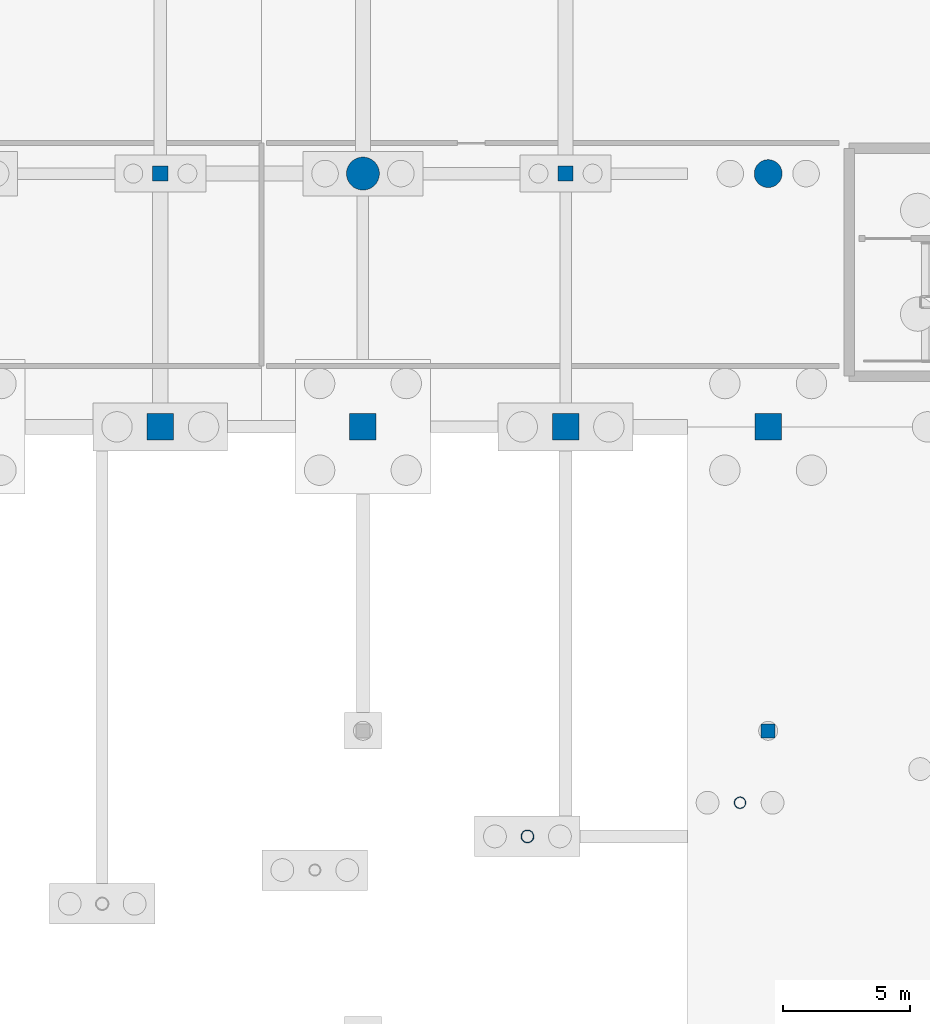
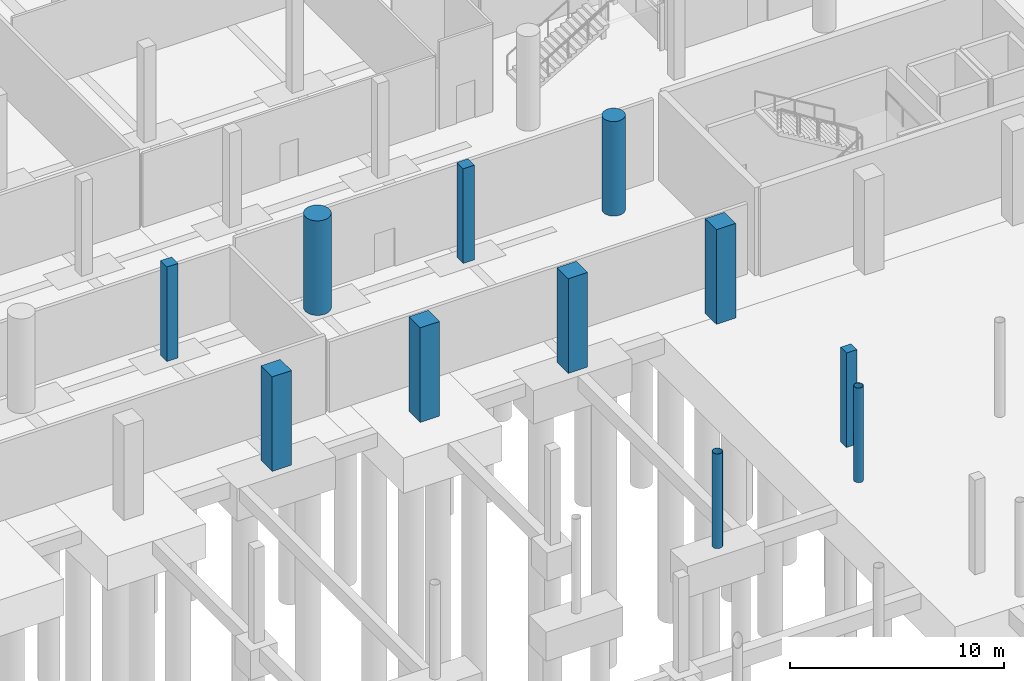
# One storey, part 24 of 65: 11 columns.
"""IFC4 building model written with IfcOpenShell, lengths in metres."""

from ifc_helpers import new_model, si_unit, direction, frame, origin, origin_2d, place, context, subcontext, project, spatial, rectangle, circle, hollow_circle, extrude, material, material_profile, profile_set, type_object, element, save


model = new_model("IFC4")

# Units and contexts
model_context = context("Model", 3, precision=1e-05, world=origin(), true_north=direction((0.0, 1.0)))
body_context = subcontext(model_context, "Body", "Model", "MODEL_VIEW")
ifc_project = project(units=[si_unit("LENGTHUNIT", "METRE"), si_unit("AREAUNIT", "SQUARE_METRE"), si_unit("VOLUMEUNIT", "CUBIC_METRE"), si_unit("PLANEANGLEUNIT", "RADIAN"), si_unit("MASSUNIT", "GRAM", prefix="KILO")], contexts=[model_context])

# Site, building, storey
site_placement = place(None, origin())
site = spatial("IfcSite", under=ifc_project, at=site_placement, CompositionType="ELEMENT")
building_placement = place(site_placement, origin())
building = spatial("IfcBuilding", under=site, at=building_placement, Name="Khorjan Park Terminus", CompositionType="ELEMENT")
storey_placement = place(building_placement, frame((0.0, 0.0, -5.4)))
storey = spatial("IfcBuildingStorey", under=building, at=storey_placement, Name="B1", CompositionType="ELEMENT", Elevation=-5.4)

# Columns
ifc_material_1 = material(Name="Concrete C50/60", Category="concrete")
ifc_material_profile_1 = material_profile(ifc_material_1, rectangle(XDim=1.05, YDim=1.05, at=origin_2d()), Name="RC 1050x1050")
ifc_profile_set_1 = profile_set([ifc_material_profile_1], Name="Concrete C50/60")
column_type_1 = type_object("IfcColumnType", Name="COL-RC1050", PredefinedType="COLUMN", material=ifc_profile_set_1)
for number, where, z_axis, x_axis, name in (
    (1, (88.0, 26.0, 0.0), (0.0, 0.0, 1.0), (1.0, 0.0, 0.0), "Structural column C-RC105 (B1 #345)"),
    (2, (96.0, 26.0, 0.0), (0.0, 0.0, 1.0), (1.0, 0.0, 0.0), "Structural column C-RC105 (B1 #361)"),
    (3, (104.0, 26.0, 0.0), (0.0, 0.0, 1.0), (1.0, 0.0, 0.0), "Structural column C-RC105 (B1 #382)"),
    (4, (112.0, 26.0, 0.0), (0.0, 0.0, 1.0), (1.0, 0.0, 0.0), "Structural column C-RC105 (B1 #398)"),
):
    element("IfcColumn", number, at=place(storey_placement, frame(where, z_axis=z_axis, x_axis=x_axis)), inside=storey, type_object=column_type_1, Name=name, PredefinedType="COLUMN", context=body_context, shape_type="SweptSolid", body=[
        extrude(rectangle(XDim=1.05, YDim=1.05, at=origin_2d()), origin(), (0.0, 0.0, 1.0), 5.4),
    ])
ifc_material_2 = material(Name="Concrete C40/50", Category="concrete")
ifc_material_profile_2 = material_profile(ifc_material_2, rectangle(XDim=0.55, YDim=0.55, at=origin_2d()), Name="RC 550x550")
ifc_profile_set_2 = profile_set([ifc_material_profile_2], Name="Concrete C40/50")
column_type_2 = type_object("IfcColumnType", Name="COL-RC550", PredefinedType="COLUMN", material=ifc_profile_set_2)
column_1_placement = place(storey_placement, frame((112.0, 14.0, 0.0), z_axis=(0.0, 0.0, 1.0), x_axis=(1.0, 0.0, 0.0)))
element("IfcColumn", 5, at=column_1_placement, inside=storey, type_object=column_type_2, Name="Structural column C-RC55 (B1 #966)", PredefinedType="COLUMN", context=body_context, shape_type="SweptSolid", body=[
    extrude(rectangle(XDim=0.55, YDim=0.55, at=origin_2d()), origin(), (0.0, 0.0, 1.0), 5.4),
])
ifc_material_profile_3 = material_profile(ifc_material_2, rectangle(XDim=0.6, YDim=0.6, at=origin_2d()), Name="RC 600x600")
ifc_profile_set_3 = profile_set([ifc_material_profile_3], Name="Concrete C40/50")
column_type_3 = type_object("IfcColumnType", Name="COL-RC600", PredefinedType="COLUMN", material=ifc_profile_set_3)
for number, where, z_axis, x_axis, name in (
    (6, (88.0, 36.0, 0.0), (0.0, 0.0, 1.0), (1.0, 0.0, 0.0), "Structural column C-RC06 (B1 #350)"),
    (7, (104.0, 36.0, 0.0), (0.0, 0.0, 1.0), (1.0, 0.0, 0.0), "Structural column C-RC06 (B1 #387)"),
):
    element("IfcColumn", number, at=place(storey_placement, frame(where, z_axis=z_axis, x_axis=x_axis)), inside=storey, type_object=column_type_3, Name=name, PredefinedType="COLUMN", context=body_context, shape_type="SweptSolid", body=[
        extrude(rectangle(XDim=0.6, YDim=0.6, at=origin_2d()), origin(), (0.0, 0.0, 1.0), 5.4),
    ])
ifc_material_profile_4 = material_profile(ifc_material_1, circle(Radius=0.55, at=origin_2d()), Name="RC D1100")
ifc_profile_set_4 = profile_set([ifc_material_profile_4], Name="Concrete C50/60")
column_type_4 = type_object("IfcColumnType", Name="COL-RD1100", PredefinedType="COLUMN", material=ifc_profile_set_4)
column_2_placement = place(storey_placement, frame((112.0, 36.0, 0.0), z_axis=(0.0, 0.0, 1.0), x_axis=(1.0, 0.0, 0.0)))
element("IfcColumn", 8, at=column_2_placement, inside=storey, type_object=column_type_4, Name="Structural column C-RD11 (B1 #403)", PredefinedType="COLUMN", context=body_context, shape_type="SweptSolid", body=[
    extrude(circle(Radius=0.55, at=origin_2d()), origin(), (0.0, 0.0, 1.0), 5.4),
])
ifc_material_profile_5 = material_profile(ifc_material_1, circle(Radius=0.65, at=origin_2d()), Name="RC D1300")
ifc_profile_set_5 = profile_set([ifc_material_profile_5], Name="Concrete C50/60")
column_type_5 = type_object("IfcColumnType", Name="COL-RD1300", PredefinedType="COLUMN", material=ifc_profile_set_5)
column_3_placement = place(storey_placement, frame((96.0, 36.0, 0.0), z_axis=(0.0, 0.0, 1.0), x_axis=(1.0, 0.0, 0.0)))
element("IfcColumn", 9, at=column_3_placement, inside=storey, type_object=column_type_5, Name="Structural column C-RD13 (B1 #366)", PredefinedType="COLUMN", context=body_context, shape_type="SweptSolid", body=[
    extrude(circle(Radius=0.65, at=origin_2d()), origin(), (0.0, 0.0, 1.0), 5.4),
])
ifc_material_3 = material(Name="Steel S355", Category="steel")
ifc_material_profile_6 = material_profile(ifc_material_3, hollow_circle(Radius=0.2285, WallThickness=0.016, at=origin_2d()), Name="CHS 457x16")
ifc_profile_set_6 = profile_set([ifc_material_profile_6], Name="Steel S355")
column_type_6 = type_object("IfcColumnType", Name="COL-SH457E", PredefinedType="COLUMN", material=ifc_profile_set_6)
column_4_placement = place(storey_placement, frame((110.89, 11.16, 0.0), z_axis=(0.0, 0.0, 1.0), x_axis=(0.987688340595, 0.15643446504, 0.0)))
element("IfcColumn", 10, at=column_4_placement, inside=storey, type_object=column_type_6, Name="Structural column SC-46 (B1 #587)", PredefinedType="COLUMN", context=body_context, shape_type="SweptSolid", body=[
    extrude(hollow_circle(Radius=0.2285, WallThickness=0.016, at=origin_2d()), origin(), (0.0, 0.0, 1.0), 5.4),
])
ifc_material_profile_7 = material_profile(ifc_material_3, hollow_circle(Radius=0.254, WallThickness=0.02, at=origin_2d()), Name="CHS 508x20")
ifc_profile_set_7 = profile_set([ifc_material_profile_7], Name="Steel S355")
column_type_7 = type_object("IfcColumnType", Name="COL-SH508E", PredefinedType="COLUMN", material=ifc_profile_set_7)
column_5_placement = place(storey_placement, frame((102.495, 9.83, 0.0), z_axis=(0.0, 0.0, 1.0), x_axis=(0.987688340595, 0.15643446504, 0.0)))
element("IfcColumn", 11, at=column_5_placement, inside=storey, type_object=column_type_7, Name="Structural column SC-51 (B1 #581)", PredefinedType="COLUMN", context=body_context, shape_type="SweptSolid", body=[
    extrude(hollow_circle(Radius=0.254, WallThickness=0.02, at=origin_2d()), origin(), (0.0, 0.0, 1.0), 5.4),
])

save(model, "model.ifc")
